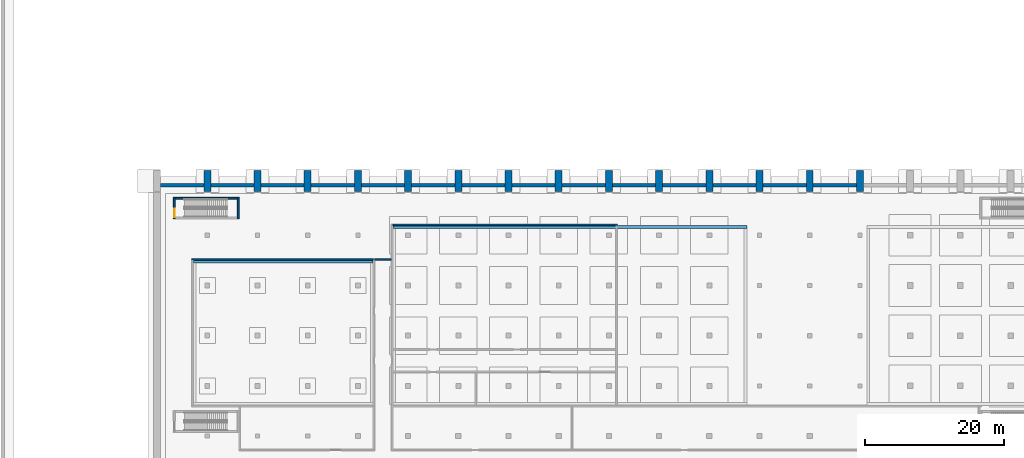
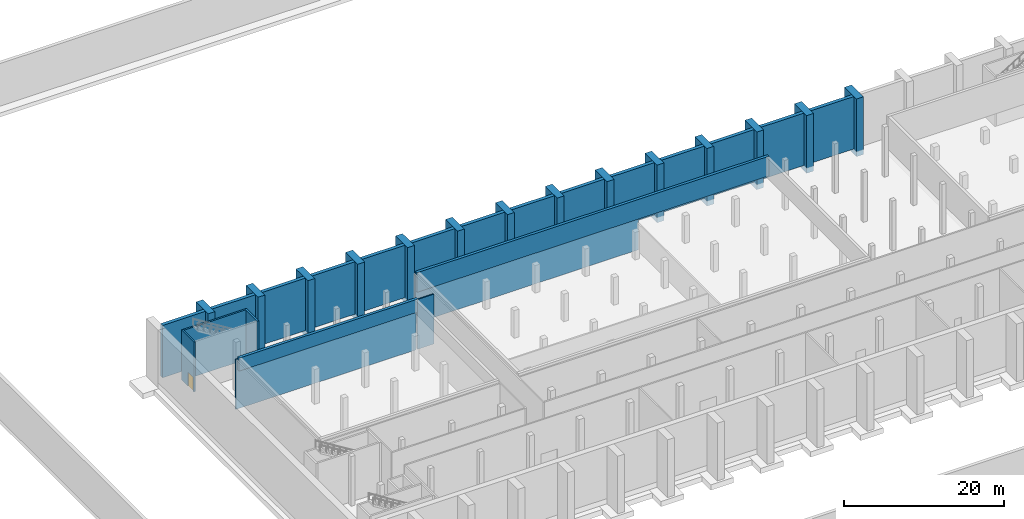
# One storey, part 10 of 14: 36 walls, 1 door, 1 opening.
"""IFC4 building model written with IfcOpenShell, lengths in metres."""

from ifc_helpers import new_model, si_unit, direction, frame, frame_2d, origin, place, context, subcontext, project, spatial, rectangle, extrude, material, layer, layer_set, type_object, element, fill, save


model = new_model("IFC4")

# Units and contexts
model_context = context("Model", 3, precision=1e-05, world=origin(), true_north=direction((0.0, 1.0)))
body_context = subcontext(model_context, "Body", "Model", "MODEL_VIEW")
ifc_project = project(units=[si_unit("LENGTHUNIT", "METRE"), si_unit("AREAUNIT", "SQUARE_METRE"), si_unit("VOLUMEUNIT", "CUBIC_METRE"), si_unit("PLANEANGLEUNIT", "RADIAN"), si_unit("MASSUNIT", "GRAM", prefix="KILO")], contexts=[model_context])

# Site, building, storey
site_placement = place(None, origin())
site = spatial("IfcSite", under=ifc_project, at=site_placement, CompositionType="ELEMENT")
building_placement = place(site_placement, origin())
building = spatial("IfcBuilding", under=site, at=building_placement, Name="Vermilion Court Aquatics Centre", CompositionType="ELEMENT")
storey_placement = place(building_placement, frame((0.0, 0.0, -8.0)))
storey = spatial("IfcBuildingStorey", under=building, at=storey_placement, Name="B1", CompositionType="ELEMENT", Elevation=-8.0)

# Walls
ifc_material_1 = material(Name="Concrete 5000 psi", Category="concrete")
ifc_layer_1 = layer(ifc_material_1, 1.0)
ifc_layer_set_1 = layer_set([ifc_layer_1], Name="Hall basement wall 1000")
wall_type_1 = type_object("IfcWallType", Name="Hall basement wall 1000", PredefinedType="SOLIDWALL", material=ifc_layer_set_1)
for number, where, z_axis, x_axis, name in (
    (1, (21.60009765625, 63.89990234375, -0.800048828125), (0.0, 0.0, 1.0), (0.0, 1.0, 0.0), "Buttress pier base"),
    (2, (28.800048828125, 63.89990234375, -0.800048828125), (0.0, 0.0, 1.0), (0.0, 1.0, 0.0), "Buttress pier base"),
    (3, (36.0, 63.89990234375, -0.800048828125), (0.0, 0.0, 1.0), (0.0, 1.0, 0.0), "Buttress pier base"),
    (4, (43.199951171875, 63.89990234375, -0.800048828125), (0.0, 0.0, 1.0), (0.0, 1.0, 0.0), "Buttress pier base"),
    (5, (50.39990234375, 63.89990234375, -0.800048828125), (0.0, 0.0, 1.0), (0.0, 1.0, 0.0), "Buttress pier base"),
    (6, (57.60009765625, 63.89990234375, -0.800048828125), (0.0, 0.0, 1.0), (0.0, 1.0, 0.0), "Buttress pier base"),
    (7, (64.800048828125, 63.89990234375, -0.800048828125), (0.0, 0.0, 1.0), (0.0, 1.0, 0.0), "Buttress pier base"),
    (8, (72.0, 63.89990234375, -0.800048828125), (0.0, 0.0, 1.0), (0.0, 1.0, 0.0), "Buttress pier base"),
    (9, (79.199951171875, 63.89990234375, -0.800048828125), (0.0, 0.0, 1.0), (0.0, 1.0, 0.0), "Buttress pier base"),
    (10, (86.39990234375, 63.89990234375, -0.800048828125), (0.0, 0.0, 1.0), (0.0, 1.0, 0.0), "Buttress pier base"),
    (11, (93.60009765625, 63.89990234375, -0.800048828125), (0.0, 0.0, 1.0), (0.0, 1.0, 0.0), "Buttress pier base"),
    (12, (100.800048828125, 63.89990234375, -0.800048828125), (0.0, 0.0, 1.0), (0.0, 1.0, 0.0), "Buttress pier base"),
    (13, (108.0, 63.89990234375, -0.800048828125), (0.0, 0.0, 1.0), (0.0, 1.0, 0.0), "Buttress pier base"),
    (14, (115.199951171875, 63.89990234375, -0.800048828125), (0.0, 0.0, 1.0), (0.0, 1.0, 0.0), "Buttress pier base"),
):
    element("IfcWall", number, at=place(storey_placement, frame(where, z_axis=z_axis, x_axis=x_axis)), inside=storey, type_object=wall_type_1, Name=name, PredefinedType="SOLIDWALL", context=body_context, shape_type="SweptSolid", body=[
        extrude(rectangle(XDim=3.0, YDim=1.0, at=frame_2d((1.5, 0.0))), origin(), (0.0, 0.0, 1.0), 8.800048828125),
    ])
ifc_material_2 = material(Name="Concrete 5000 psi", Category="concrete")
ifc_layer_2 = layer(ifc_material_2, 0.5)
ifc_layer_set_2 = layer_set([ifc_layer_2], Name="Hall basement wall 500")
wall_type_2 = type_object("IfcWallType", Name="Hall basement wall 500", PredefinedType="SOLIDWALL", material=ifc_layer_set_2)
wall_1_placement = place(storey_placement, frame((14.89990234375, 64.800048828125, 0.0), z_axis=(0.0, 0.0, 1.0), x_axis=(1.0, 0.0, 0.0)))
element("IfcWall", 15, at=wall_1_placement, inside=storey, type_object=wall_type_2, Name="Basement north wall", PredefinedType="SOLIDWALL", context=body_context, shape_type="SweptSolid", body=[
    extrude(rectangle(XDim=6.2001953125, YDim=0.5, at=frame_2d((3.10009765625, 0.0))), origin(), (0.0, 0.0, 1.0), 8.0),
])
for number, where, z_axis, x_axis, name in (
    (16, (22.10009765625, 64.800048828125, 0.0), (0.0, 0.0, 1.0), (1.0, 0.0, 0.0), "Basement north wall"),
    (17, (29.300048828125, 64.800048828125, 0.0), (0.0, 0.0, 1.0), (1.0, 0.0, 0.0), "Basement north wall"),
    (18, (36.5, 64.800048828125, 0.0), (0.0, 0.0, 1.0), (1.0, 0.0, 0.0), "Basement north wall"),
    (19, (43.699951171875, 64.800048828125, 0.0), (0.0, 0.0, 1.0), (1.0, 0.0, 0.0), "Basement north wall"),
):
    element("IfcWall", number, at=place(storey_placement, frame(where, z_axis=z_axis, x_axis=x_axis)), inside=storey, type_object=wall_type_2, Name=name, PredefinedType="SOLIDWALL", context=body_context, shape_type="SweptSolid", body=[
        extrude(rectangle(XDim=6.199951171875, YDim=0.5, at=frame_2d((3.10009765625, 0.0))), origin(), (0.0, 0.0, 1.0), 8.0),
    ])
wall_2_placement = place(storey_placement, frame((50.89990234375, 64.800048828125, 0.0), z_axis=(0.0, 0.0, 1.0), x_axis=(1.0, 0.0, 0.0)))
element("IfcWall", 20, at=wall_2_placement, inside=storey, type_object=wall_type_2, Name="Basement north wall", PredefinedType="SOLIDWALL", context=body_context, shape_type="SweptSolid", body=[
    extrude(rectangle(XDim=6.2001953125, YDim=0.5, at=frame_2d((3.10009765625, 0.0))), origin(), (0.0, 0.0, 1.0), 8.0),
])
for number, where, z_axis, x_axis, name in (
    (21, (58.10009765625, 64.800048828125, 0.0), (0.0, 0.0, 1.0), (1.0, 0.0, 0.0), "Basement north wall"),
    (22, (65.300048828125, 64.800048828125, 0.0), (0.0, 0.0, 1.0), (1.0, 0.0, 0.0), "Basement north wall"),
    (23, (72.5, 64.800048828125, 0.0), (0.0, 0.0, 1.0), (1.0, 0.0, 0.0), "Basement north wall"),
    (24, (79.699951171875, 64.800048828125, 0.0), (0.0, 0.0, 1.0), (1.0, 0.0, 0.0), "Basement north wall"),
):
    element("IfcWall", number, at=place(storey_placement, frame(where, z_axis=z_axis, x_axis=x_axis)), inside=storey, type_object=wall_type_2, Name=name, PredefinedType="SOLIDWALL", context=body_context, shape_type="SweptSolid", body=[
        extrude(rectangle(XDim=6.199951171875, YDim=0.5, at=frame_2d((3.10009765625, 0.0))), origin(), (0.0, 0.0, 1.0), 8.0),
    ])
wall_3_placement = place(storey_placement, frame((86.89990234375, 64.800048828125, 0.0), z_axis=(0.0, 0.0, 1.0), x_axis=(1.0, 0.0, 0.0)))
element("IfcWall", 25, at=wall_3_placement, inside=storey, type_object=wall_type_2, Name="Basement north wall", PredefinedType="SOLIDWALL", context=body_context, shape_type="SweptSolid", body=[
    extrude(rectangle(XDim=6.2001953125, YDim=0.5, at=frame_2d((3.10009765625, 0.0))), origin(), (0.0, 0.0, 1.0), 8.0),
])
for number, where, z_axis, x_axis, name in (
    (26, (94.10009765625, 64.800048828125, 0.0), (0.0, 0.0, 1.0), (1.0, 0.0, 0.0), "Basement north wall"),
    (27, (101.300048828125, 64.800048828125, 0.0), (0.0, 0.0, 1.0), (1.0, 0.0, 0.0), "Basement north wall"),
    (28, (108.5, 64.800048828125, 0.0), (0.0, 0.0, 1.0), (1.0, 0.0, 0.0), "Basement north wall"),
):
    element("IfcWall", number, at=place(storey_placement, frame(where, z_axis=z_axis, x_axis=x_axis)), inside=storey, type_object=wall_type_2, Name=name, PredefinedType="SOLIDWALL", context=body_context, shape_type="SweptSolid", body=[
        extrude(rectangle(XDim=6.199951171875, YDim=0.5, at=frame_2d((3.10009765625, 0.0))), origin(), (0.0, 0.0, 1.0), 8.0),
    ])
ifc_material_3 = material(Name="Concrete masonry ASTM C90 Type I", Category="masonry")
ifc_layer_3 = layer(ifc_material_3, 0.199951171875)
ifc_layer_set_3 = layer_set([ifc_layer_3], Name="Hall plant partition 200")
wall_type_3 = type_object("IfcWallType", Name="Hall plant partition 200", PredefinedType="PARTITIONING", material=ifc_layer_set_3)
wall_4_placement = place(storey_placement, frame((19.39990234375, 54.10009765625, 0.0), z_axis=(0.0, 0.0, 1.0), x_axis=(1.0, 0.0, 0.0)))
element("IfcWall", 29, at=wall_4_placement, inside=storey, type_object=wall_type_3, Name="Plant partition", PredefinedType="PARTITIONING", context=body_context, shape_type="SweptSolid", body=[
    extrude(rectangle(XDim=26.0, YDim=0.199951171875, at=frame_2d((13.0, 0.0))), origin(), (0.0, 0.0, 1.0), 7.594970703125),
])
wall_5_placement = place(storey_placement, frame((45.60009765625, 54.10009765625, 0.0), z_axis=(0.0, 0.0, 1.0), x_axis=(1.0, 0.0, 0.0)))
element("IfcWall", 30, at=wall_5_placement, inside=storey, type_object=wall_type_3, Name="Plant partition", PredefinedType="PARTITIONING", context=body_context, shape_type="SweptSolid", body=[
    extrude(rectangle(XDim=2.39990234375, YDim=0.199951171875, at=frame_2d((1.199951171875, 0.0))), origin(), (0.0, 0.0, 1.0), 7.594970703125),
])
wall_6_placement = place(storey_placement, frame((48.199951171875, 59.10009765625, 0.0), z_axis=(0.0, 0.0, 1.0), x_axis=(1.0, 0.0, 0.0)))
element("IfcWall", 31, at=wall_6_placement, inside=storey, type_object=wall_type_3, Name="Plant partition", PredefinedType="PARTITIONING", context=body_context, shape_type="SweptSolid", body=[
    extrude(rectangle(XDim=32.199951171875, YDim=0.199951171875, at=frame_2d((16.10009765625, 0.0))), origin(), (0.0, 0.0, 1.0), 7.594970703125),
])
ifc_material_4 = material(Name="Concrete 6000 psi", Category="concrete")
ifc_layer_4 = layer(ifc_material_4, 0.39990234375)
ifc_layer_set_4 = layer_set([ifc_layer_4], Name="Hall pool tank wall 400")
wall_type_4 = type_object("IfcWallType", Name="Hall pool tank wall 400", PredefinedType="SOLIDWALL", material=ifc_layer_set_4)
wall_7_placement = place(storey_placement, frame((19.60009765625, 53.800048828125, 6.0), z_axis=(0.0, 0.0, 1.0), x_axis=(1.0, 0.0, 0.0)))
element("IfcWall", 32, at=wall_7_placement, inside=storey, type_object=wall_type_4, Name="Training Pool tank wall", PredefinedType="SOLIDWALL", context=body_context, shape_type="SweptSolid", body=[
    extrude(rectangle(XDim=25.7998046875, YDim=0.39990234375, at=frame_2d((12.89990234375, 0.0))), origin(), (0.0, 0.0, 1.0), 2.0),
])
wall_8_placement = place(storey_placement, frame((48.199951171875, 58.800048828125, 5.0), z_axis=(0.0, 0.0, 1.0), x_axis=(1.0, 0.0, 0.0)))
element("IfcWall", 33, at=wall_8_placement, inside=storey, type_object=wall_type_4, Name="Competition Pool tank wall", PredefinedType="SOLIDWALL", context=body_context, shape_type="SweptSolid", body=[
    extrude(rectangle(XDim=50.800048828125, YDim=0.39990234375, at=frame_2d((25.39990234375, 0.0))), origin(), (0.0, 0.0, 1.0), 3.0),
])

# Wall, opening, door
ifc_material_5 = material(Name="Concrete 5000 psi", Category="concrete")
ifc_layer_5 = layer(ifc_material_5, 0.25)
ifc_layer_set_5 = layer_set([ifc_layer_5], Name="Hall stair enclosure wall 250")
wall_type_5 = type_object("IfcWallType", Name="Hall stair enclosure wall 250", PredefinedType="SOLIDWALL", material=ifc_layer_set_5)
wall_9_placement = place(storey_placement, frame((16.875, 59.949951171875, 0.0), z_axis=(0.0, 0.0, 1.0), x_axis=(0.0, 1.0, 0.0)))
wall_9 = element("IfcWall", 34, at=wall_9_placement, inside=storey, type_object=wall_type_5, Name="Exit stair 3 enclosure wall", PredefinedType="SOLIDWALL", context=body_context, shape_type="SweptSolid", body=[
    extrude(rectangle(XDim=3.10009765625, YDim=0.25, at=frame_2d((1.550048828125, 0.0))), origin(), (0.0, 0.0, 1.0), 7.594970703125),
])
opening_placement = place(wall_9_placement, frame((0.25, 0.0, 0.0)))
opening = element("IfcOpeningElement", 35, at=opening_placement, cuts=wall_9, Name="Opening HB1-018", PredefinedType="OPENING", context=body_context, shape_type="SweptSolid", body=[
    extrude(rectangle(XDim=1.199951171875, YDim=2.10009765625, at=frame_2d((0.60009765625, 1.050048828125))), frame((0.0, 0.135009765625, 0.0), z_axis=(0.0, -1.0, 0.0), x_axis=(1.0, 0.0, 0.0)), (0.0, 0.0, 1.0), 0.27001953125),
])
ifc_material_6 = material(Name="Hollow metal")
door_type = type_object("IfcDoorType", Name="Hall exit stair door 1200x2100", OperationType="NOTDEFINED", PredefinedType="DOOR", material=ifc_material_6)
door_placement = place(opening_placement, frame((1.199951171875, 0.0, 0.0), z_axis=(0.0, 0.0, 1.0), x_axis=(-1.0, 0.0, 0.0)))
door = element("IfcDoor", 36, at=door_placement, inside=storey, type_object=door_type, Name="Door to exit stair 3", OperationType="SINGLE_SWING_RIGHT", OverallHeight=2.10009765625, OverallWidth=1.199951171875, PredefinedType="DOOR", context=body_context, shape_type="SweptSolid", body=[
    extrude(rectangle(XDim=1.199951171875, YDim=2.10009765625, at=frame_2d((0.599853515625, 1.050048828125))), frame((0.0, 0.025146484375, 0.0), z_axis=(0.0, -1.0, 0.0), x_axis=(1.0, 0.0, 0.0)), (0.0, 0.0, 1.0), 0.050048828125),
])
fill(opening, door)

# Walls
wall_10_placement = place(storey_placement, frame((26.02490234375, 59.949951171875, 0.0), z_axis=(0.0, 0.0, 1.0), x_axis=(0.0, 1.0, 0.0)))
element("IfcWall", 37, at=wall_10_placement, inside=storey, type_object=wall_type_5, Name="Exit stair 3 enclosure wall", PredefinedType="SOLIDWALL", context=body_context, shape_type="SweptSolid", body=[
    extrude(rectangle(XDim=3.10009765625, YDim=0.25, at=frame_2d((1.550048828125, 0.0))), origin(), (0.0, 0.0, 1.0), 7.594970703125),
])
wall_11_placement = place(storey_placement, frame((17.0, 62.925048828125, 0.0), z_axis=(0.0, 0.0, 1.0), x_axis=(1.0, 0.0, 0.0)))
element("IfcWall", 38, at=wall_11_placement, inside=storey, type_object=wall_type_5, Name="Exit stair 3 enclosure wall", PredefinedType="SOLIDWALL", context=body_context, shape_type="SweptSolid", body=[
    extrude(rectangle(XDim=8.89990234375, YDim=0.25, at=frame_2d((4.449951171875, 0.0))), origin(), (0.0, 0.0, 1.0), 7.594970703125),
])

save(model, "model.ifc")
